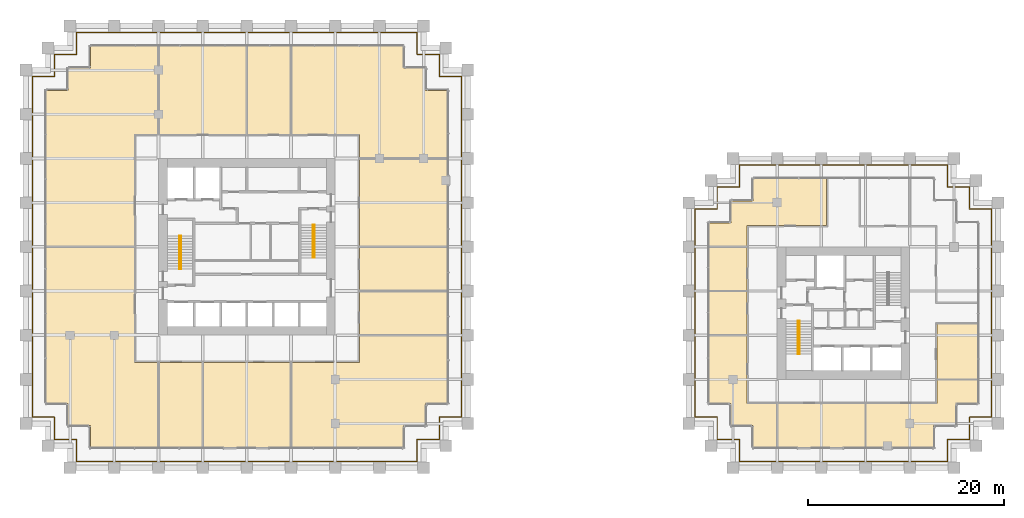
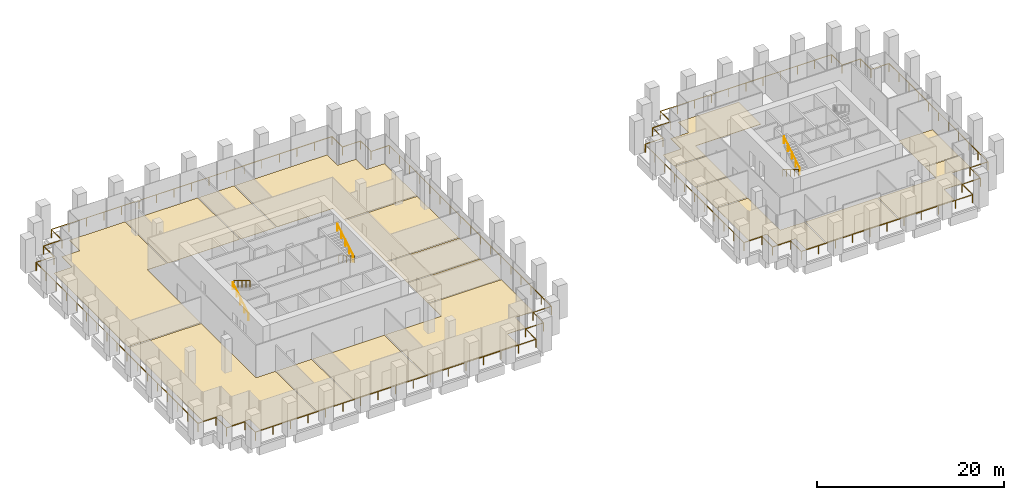
# One storey, part 35 of 36: 18 coverings, 8 railings.
"""IFC4 building model written with IfcOpenShell, lengths in metres."""

import ifcopenshell
import ifcopenshell.guid

model = None  # the IFC model being written
_history = None  # IfcOwnerHistory: only IFC2X3 demands one
_inside = {}  # id of a spatial element -> (the spatial element, [elements in it])
_under = {}  # id of a project, library or spatial element -> (it, [spatial elements below it])
_declared = {}  # id of a project -> (the project, [libraries it declares])
_typed = {}  # id of a type object -> (the type object, [elements of that type])
_made_of = {}  # id of a material, layer set ... -> (it, [elements and type objects made of it])


def new_model(schema):
    """Start an empty IFC model of exactly this schema.

    Asked for "IFC4X3", IfcOpenShell would pick the latest addendum, in which some entities
    have other attributes; the version numbers below select the first issue.
    IFC2X3 requires an IfcOwnerHistory on every rooted entity: one is made here for all.
    """
    global model, _history
    if schema == "IFC4X3":
        model = ifcopenshell.file(schema_version=(4, 3, 0, 0))
    else:
        model = ifcopenshell.file(schema=schema)
    _inside.clear()
    _under.clear()
    _declared.clear()
    _typed.clear()
    _made_of.clear()
    _history = None
    if model.schema == "IFC2X3":
        org = make("IfcOrganization", Name="unknown")
        user = make(
            "IfcPersonAndOrganization",
            ThePerson=make("IfcPerson", FamilyName="unknown"),
            TheOrganization=org,
        )
        app = make(
            "IfcApplication",
            ApplicationDeveloper=org,
            Version="unknown",
            ApplicationFullName="unknown",
            ApplicationIdentifier="unknown",
        )
        _history = make(
            "IfcOwnerHistory",
            OwningUser=user,
            OwningApplication=app,
            ChangeAction="ADDED",
            CreationDate=0,
        )
    return model


def make(cls, **values):
    """One entity of the class cls with the attributes given. An attribute that is None is left unset."""
    return model.create_entity(
        cls, **{name: value for name, value in values.items() if value is not None}
    )


def rooted(cls, **values):
    """An entity with a GlobalId (a new one), such as an element, a storey or a relation."""
    return make(cls, GlobalId=ifcopenshell.guid.new(), OwnerHistory=_history, **values)


def si_unit(unit_type, name, prefix=None):
    """IfcSIUnit, for example si_unit("LENGTHUNIT", "METRE", prefix="MILLI")."""
    return make("IfcSIUnit", UnitType=unit_type, Prefix=prefix, Name=name)


def assignment(units):
    """IfcUnitAssignment: the units of a project."""
    return None if units is None else make("IfcUnitAssignment", Units=units)


def point(xyz):
    """IfcCartesianPoint."""
    return None if xyz is None else make("IfcCartesianPoint", Coordinates=xyz)


def direction(xyz):
    """IfcDirection."""
    return None if xyz is None else make("IfcDirection", DirectionRatios=xyz)


def frame(location, z_axis=None, x_axis=None):
    """IfcAxis2Placement3D, a coordinate frame: its origin and axes. An axis left out is left unset."""
    return make(
        "IfcAxis2Placement3D",
        Location=point(location),
        Axis=direction(z_axis),
        RefDirection=direction(x_axis),
    )


def frame_2d(location, x_axis=None):
    """IfcAxis2Placement2D, a coordinate frame in the plane: its origin and x axis."""
    return make(
        "IfcAxis2Placement2D", Location=point(location), RefDirection=direction(x_axis)
    )


def origin():
    """The frame at (0, 0, 0) with its axes left unset."""
    return frame((0.0, 0.0, 0.0))


def origin_2d():
    """The frame at (0, 0) in the plane with its x axis left unset."""
    return frame_2d((0.0, 0.0))


def place(relative_to, where):
    """IfcLocalPlacement: puts the frame where relative to a parent placement (None: the world)."""
    return make(
        "IfcLocalPlacement", PlacementRelTo=relative_to, RelativePlacement=where
    )


def context(
    kind, dimensions, precision=None, world=None, true_north=None, identifier=None
):
    """IfcGeometricRepresentationContext, for example the 3D "Model" context."""
    return make(
        "IfcGeometricRepresentationContext",
        ContextIdentifier=identifier,
        ContextType=kind,
        CoordinateSpaceDimension=dimensions,
        Precision=precision,
        WorldCoordinateSystem=world,
        TrueNorth=true_north,
    )


def subcontext(parent, identifier, kind, view, scale=None):
    """IfcGeometricRepresentationSubContext, for example "Body" below "Model"."""
    return make(
        "IfcGeometricRepresentationSubContext",
        ContextIdentifier=identifier,
        ContextType=kind,
        ParentContext=parent,
        TargetScale=scale,
        TargetView=view,
    )


def project(units=None, contexts=None):
    """IfcProject with its units and contexts."""
    return rooted(
        "IfcProject",
        Name="project",
        RepresentationContexts=contexts,
        UnitsInContext=assignment(units),
    )


def spatial(cls, under=None, at=None, **own):
    """A site, building, storey or space (cls), placed at a placement, below another one or the project."""
    s = rooted(cls, ObjectPlacement=at, **own)
    if under is not None:
        _under.setdefault(under.id(), (under, []))[1].append(s)
    return s


def polyline(points):
    """IfcPolyline through the points."""
    return make("IfcPolyline", Points=[point(p) for p in points])


def profile(cls, at=None, kind="AREA", **sizes):
    """A parametric profile (cls). Its sizes go by their IFC names, for example OverallWidth=200.0."""
    return make(cls, ProfileType=kind, Position=at, **sizes)


def circle(**sizes):
    """IfcCircleProfileDef."""
    return profile("IfcCircleProfileDef", **sizes)


def outline(outer, holes=None, kind="AREA"):
    """IfcArbitraryClosedProfileDef: a profile drawn as a closed curve; with holes, ...WithVoids."""
    if holes is None:
        return make("IfcArbitraryClosedProfileDef", ProfileType=kind, OuterCurve=outer)
    return make(
        "IfcArbitraryProfileDefWithVoids",
        ProfileType=kind,
        OuterCurve=outer,
        InnerCurves=holes,
    )


def extrude(swept, where, along, depth):
    """IfcExtrudedAreaSolid: the profile swept, set in the frame where, extruded along a direction by depth."""
    return make(
        "IfcExtrudedAreaSolid",
        SweptArea=swept,
        Position=where,
        ExtrudedDirection=direction(along),
        Depth=depth,
    )


def shape(context_of_items, identifier, shape_type, items):
    """IfcShapeRepresentation: the items that make up one representation, for example the "Body"."""
    return make(
        "IfcShapeRepresentation",
        ContextOfItems=context_of_items,
        RepresentationIdentifier=identifier,
        RepresentationType=shape_type,
        Items=items,
    )


def source(mapping_origin, context_of_items, identifier, shape_type, items):
    """IfcRepresentationMap: a shape defined once, which mapped items show again and again."""
    return make(
        "IfcRepresentationMap",
        MappingOrigin=mapping_origin,
        MappedRepresentation=shape(context_of_items, identifier, shape_type, items),
    )


def transform(
    local_origin,
    x_axis=None,
    y_axis=None,
    z_axis=None,
    scale=None,
    scale2=None,
    scale3=None,
    uniform=True,
):
    """IfcCartesianTransformationOperator3D, or its non-uniform kind. x_axis, y_axis, z_axis: its Axis1, 2, 3."""
    if uniform:
        return make(
            "IfcCartesianTransformationOperator3D",
            Axis1=direction(x_axis),
            Axis2=direction(y_axis),
            LocalOrigin=point(local_origin),
            Scale=scale,
            Axis3=direction(z_axis),
        )
    return make(
        "IfcCartesianTransformationOperator3DnonUniform",
        Axis1=direction(x_axis),
        Axis2=direction(y_axis),
        LocalOrigin=point(local_origin),
        Scale=scale,
        Axis3=direction(z_axis),
        Scale2=scale2,
        Scale3=scale3,
    )


def mapped(mapping_source, mapping_target):
    """IfcMappedItem: shows the shape of a source again, moved by a transform."""
    return make(
        "IfcMappedItem", MappingSource=mapping_source, MappingTarget=mapping_target
    )


def material(Name=None, Category=None):
    """IfcMaterial."""
    return make("IfcMaterial", Name=Name, Category=Category)


def layer(
    of_material, thickness, ventilated=None, Name=None, Category=None, Priority=None
):
    """IfcMaterialLayer: one layer of a wall or slab, of a material (None: an air gap)."""
    return make(
        "IfcMaterialLayer",
        Material=of_material,
        LayerThickness=thickness,
        IsVentilated=ventilated,
        Name=Name,
        Category=Category,
        Priority=Priority,
    )


def layer_set(layers, Name=None):
    """IfcMaterialLayerSet."""
    return make("IfcMaterialLayerSet", MaterialLayers=layers, LayerSetName=Name)


def made_of(thing, what):
    """Note that an element or type object is made of a material, layer set ...; save() writes the relation."""
    if what is not None:
        _made_of.setdefault(what.id(), (what, []))[1].append(thing)
    return thing


def type_object(cls, material=None, **own):
    """A type object (cls), such as IfcWallType, which elements share."""
    return made_of(rooted(cls, **own), material)


def element(
    cls,
    number,
    at=None,
    inside=None,
    cuts=None,
    type_object=None,
    material=None,
    context=None,
    identifier="Body",
    shape_type=None,
    held_by="IfcProductDefinitionShape",
    body=None,
    shapes=None,
    **own,
):
    """One element of the class cls, such as IfcWall. Its Tag is "e" and its number.

    at: its placement. inside: the storey or other place that contains it. cuts: it is an
    opening in that element (IfcRelVoidsElement). A single representation is given by context,
    identifier, shape_type and body (its items); several are given by shapes. held_by: the class
    of the entity that holds the representations. save() writes the other relations.
    """
    e = rooted(cls, Tag="e%d" % number, ObjectPlacement=at, **own)
    if body is not None:
        shapes = [shape(context, identifier, shape_type, body)]
    if shapes is not None:
        e.Representation = make(held_by, Representations=shapes)
    if inside is not None:
        _inside.setdefault(inside.id(), (inside, []))[1].append(e)
    if cuts is not None:
        rooted(
            "IfcRelVoidsElement", RelatingBuildingElement=cuts, RelatedOpeningElement=e
        )
    if type_object is not None:
        _typed.setdefault(type_object.id(), (type_object, []))[1].append(e)
    return made_of(e, material)


def aggregate(whole, parts):
    """IfcRelAggregates: a whole, such as a stair, and the parts it consists of."""
    return rooted("IfcRelAggregates", RelatingObject=whole, RelatedObjects=parts)


def save(model, path):
    """Write the relations noted so far, then the file.

    IfcRelAggregates (storeys below a building ...), IfcRelContainedInSpatialStructure (elements
    in a storey), IfcRelDefinesByType, IfcRelAssociatesMaterial and IfcRelDeclares: one each for
    every whole, place, type object, material and project.
    """
    for whole, parts in _under.values():
        aggregate(whole, parts)
    for where, things in _inside.values():
        rooted(
            "IfcRelContainedInSpatialStructure",
            RelatedElements=things,
            RelatingStructure=where,
        )
    for kind, things in _typed.values():
        rooted("IfcRelDefinesByType", RelatedObjects=things, RelatingType=kind)
    for what, things in _made_of.values():
        rooted("IfcRelAssociatesMaterial", RelatedObjects=things, RelatingMaterial=what)
    for by, libraries in _declared.values():
        rooted("IfcRelDeclares", RelatingContext=by, RelatedDefinitions=libraries)
    model.write(path)


model = new_model("IFC4")

# Units and contexts
model_context = context("Model", 3, precision=1e-05, world=origin(), true_north=direction((0.0, 1.0)))
body_context = subcontext(model_context, "Body", "Model", "MODEL_VIEW")
ifc_project = project(units=[si_unit("LENGTHUNIT", "METRE"), si_unit("AREAUNIT", "SQUARE_METRE"), si_unit("VOLUMEUNIT", "CUBIC_METRE"), si_unit("PLANEANGLEUNIT", "RADIAN"), si_unit("MASSUNIT", "GRAM", prefix="KILO")], contexts=[model_context])

# Site, building, storey
site_placement = place(None, origin())
site = spatial("IfcSite", under=ifc_project, at=site_placement, CompositionType="ELEMENT")
building_placement = place(site_placement, origin())
building = spatial("IfcBuilding", under=site, at=building_placement, Name="Altepetl Exchange Towers", CompositionType="ELEMENT")
storey_placement = place(building_placement, frame((0.0, 0.0, 34.199951171875)))
storey = spatial("IfcBuildingStorey", under=building, at=storey_placement, Name="L07", CompositionType="ELEMENT", Elevation=34.199951171875)

# Coverings
ifc_material_1 = material(Name="Carpet tile")
ifc_layer_1 = layer(ifc_material_1, 0.02001953125)
ifc_layer_set_1 = layer_set([ifc_layer_1], Name="Carpet tile")
covering_type_1 = type_object("IfcCoveringType", Name="Carpet tile floor", PredefinedType="FLOORING", material=ifc_layer_set_1)
covering_1_placement = place(storey_placement, origin())
element("IfcCovering", 1, at=covering_1_placement, inside=storey, type_object=covering_type_1, Name="Open office floor finish A07.01", PredefinedType="FLOORING", context=body_context, shape_type="SweptSolid", body=[
    extrude(outline(polyline([(40.4375, 29.0625), (40.4375, 37.737548828125), (38.03759765625, 37.737548828125), (38.03759765625, 49.4375), (29.0625, 49.4375), (29.0625, 33.5625), (31.3125, 33.5625), (31.3125, 31.3125), (33.5625, 31.3125), (33.5625, 29.0625), (40.4375, 29.0625)])), origin(), (0.0, 0.0, 1.0), 0.02001953125),
])
covering_2_placement = place(storey_placement, origin())
element("IfcCovering", 2, at=covering_2_placement, inside=storey, type_object=covering_type_1, Name="Pantry floor finish A07.02", PredefinedType="FLOORING", context=body_context, shape_type="SweptSolid", body=[
    extrude(outline(polyline([(44.9375, 29.0625), (44.9375, 37.737548828125), (40.5625, 37.737548828125), (40.5625, 29.0625), (44.9375, 29.0625)])), origin(), (0.0, 0.0, 1.0), 0.02001953125),
])
covering_3_placement = place(storey_placement, origin())
element("IfcCovering", 3, at=covering_3_placement, inside=storey, type_object=covering_type_1, Name="Huddle room floor finish A07.03", PredefinedType="FLOORING", context=body_context, shape_type="SweptSolid", body=[
    extrude(outline(polyline([(53.9375, 29.0625), (53.9375, 37.737548828125), (45.0625, 37.737548828125), (45.0625, 29.0625), (53.9375, 29.0625)])), origin(), (0.0, 0.0, 1.0), 0.02001953125),
])
covering_4_placement = place(storey_placement, origin())
element("IfcCovering", 4, at=covering_4_placement, inside=storey, type_object=covering_type_1, Name="Pantry floor finish A07.05", PredefinedType="FLOORING", context=body_context, shape_type="SweptSolid", body=[
    extrude(outline(polyline([(69.9375, 44.9375), (60.96240234375, 44.9375), (60.96240234375, 40.5625), (69.9375, 40.5625), (69.9375, 44.9375)])), origin(), (0.0, 0.0, 1.0), 0.02001953125),
])
covering_5_placement = place(storey_placement, origin())
element("IfcCovering", 5, at=covering_5_placement, inside=storey, type_object=covering_type_1, Name="Quiet room floor finish A07.06", PredefinedType="FLOORING", context=body_context, shape_type="SweptSolid", body=[
    extrude(outline(polyline([(69.9375, 49.4375), (60.96240234375, 49.4375), (60.96240234375, 45.0625), (69.9375, 45.0625), (69.9375, 49.4375)])), origin(), (0.0, 0.0, 1.0), 0.02001953125),
])
covering_6_placement = place(storey_placement, origin())
element("IfcCovering", 6, at=covering_6_placement, inside=storey, type_object=covering_type_1, Name="Huddle room floor finish A07.07", PredefinedType="FLOORING", context=body_context, shape_type="SweptSolid", body=[
    extrude(outline(polyline([(69.9375, 58.4375), (60.96240234375, 58.4375), (60.96240234375, 49.5625), (69.9375, 49.5625), (69.9375, 58.4375)])), origin(), (0.0, 0.0, 1.0), 0.02001953125),
])
covering_7_placement = place(storey_placement, origin())
element("IfcCovering", 7, at=covering_7_placement, inside=storey, type_object=covering_type_1, Name="Pantry floor finish A07.09", PredefinedType="FLOORING", context=body_context, shape_type="SweptSolid", body=[
    extrude(outline(polyline([(49.5625, 69.9375), (49.5625, 60.96240234375), (53.9375, 60.96240234375), (53.9375, 69.9375), (49.5625, 69.9375)])), origin(), (0.0, 0.0, 1.0), 0.02001953125),
])
covering_8_placement = place(storey_placement, origin())
element("IfcCovering", 8, at=covering_8_placement, inside=storey, type_object=covering_type_1, Name="Meeting room floor finish A07.10", PredefinedType="FLOORING", context=body_context, shape_type="SweptSolid", body=[
    extrude(outline(polyline([(40.5625, 69.9375), (40.5625, 60.96240234375), (49.4375, 60.96240234375), (49.4375, 69.9375), (40.5625, 69.9375)])), origin(), (0.0, 0.0, 1.0), 0.02001953125),
])
covering_9_placement = place(storey_placement, origin())
element("IfcCovering", 9, at=covering_9_placement, inside=storey, type_object=covering_type_1, Name="Interview room floor finish B07.01", PredefinedType="FLOORING", context=body_context, shape_type="SweptSolid", body=[
    extrude(outline(polyline([(100.4375, 40.4375), (96.5625, 40.4375), (96.5625, 33.5625), (98.8125, 33.5625), (98.8125, 31.3125), (101.0625, 31.3125), (101.0625, 29.0625), (103.4375, 29.0625), (103.4375, 33.53759765625), (100.4375, 33.53759765625), (100.4375, 40.4375)])), origin(), (0.0, 0.0, 1.0), 0.02001953125),
])
covering_10_placement = place(storey_placement, origin())
element("IfcCovering", 10, at=covering_10_placement, inside=storey, type_object=covering_type_1, Name="Meeting room floor finish B07.02", PredefinedType="FLOORING", context=body_context, shape_type="SweptSolid", body=[
    extrude(outline(polyline([(103.5625, 33.53759765625), (103.5625, 29.0625), (112.4375, 29.0625), (112.4375, 33.53759765625), (103.5625, 33.53759765625)])), origin(), (0.0, 0.0, 1.0), 0.02001953125),
])
covering_11_placement = place(storey_placement, origin())
element("IfcCovering", 11, at=covering_11_placement, inside=storey, type_object=covering_type_1, Name="Quiet room floor finish B07.04", PredefinedType="FLOORING", context=body_context, shape_type="SweptSolid", body=[
    extrude(outline(polyline([(119.762451171875, 41.637451171875), (119.762451171875, 36.0625), (123.9375, 36.0625), (123.9375, 41.637451171875), (119.762451171875, 41.637451171875)])), origin(), (0.0, 0.0, 1.0), 0.02001953125),
])
covering_12_placement = place(storey_placement, origin())
element("IfcCovering", 12, at=covering_12_placement, inside=storey, type_object=covering_type_1, Name="Pantry floor finish B07.08", PredefinedType="FLOORING", context=body_context, shape_type="SweptSolid", body=[
    extrude(outline(polyline([(100.4375, 49.4375), (96.5625, 49.4375), (96.5625, 45.0625), (100.4375, 45.0625), (100.4375, 49.4375)])), origin(), (0.0, 0.0, 1.0), 0.02001953125),
])
covering_13_placement = place(storey_placement, origin())
element("IfcCovering", 13, at=covering_13_placement, inside=storey, type_object=covering_type_1, Name="Pantry floor finish B07.09", PredefinedType="FLOORING", context=body_context, shape_type="SweptSolid", body=[
    extrude(outline(polyline([(100.4375, 44.9375), (96.5625, 44.9375), (96.5625, 40.5625), (100.4375, 40.5625), (100.4375, 44.9375)])), origin(), (0.0, 0.0, 1.0), 0.02001953125),
])
ifc_material_2 = material(Name="Calcium sulphate access floor panel")
ifc_layer_2 = layer(ifc_material_2, 0.0400390625)
ifc_layer_set_2 = layer_set([ifc_layer_2], Name="Calcium sulphate access floor panel")
covering_type_2 = type_object("IfcCoveringType", Name="Raised access floor panels", PredefinedType="FLOORING", material=ifc_layer_set_2)
covering_14_placement = place(storey_placement, origin())
element("IfcCovering", 14, at=covering_14_placement, inside=storey, type_object=covering_type_2, Name="Trading office floor finish A07.04", PredefinedType="FLOORING", context=body_context, shape_type="SweptSolid", body=[
    extrude(outline(polyline([(69.9375, 40.4375), (60.96240234375, 40.4375), (60.96240234375, 37.737548828125), (54.0625, 37.737548828125), (54.0625, 29.0625), (65.4375, 29.0625), (65.4375, 31.3125), (67.6875, 31.3125), (67.6875, 33.5625), (69.9375, 33.5625), (69.9375, 40.4375)])), origin(), (0.0, 0.0, 1.0), 0.0400390625),
])
covering_15_placement = place(storey_placement, origin())
element("IfcCovering", 15, at=covering_15_placement, inside=storey, type_object=covering_type_2, Name="Broker office floor finish A07.08", PredefinedType="FLOORING", context=body_context, shape_type="SweptSolid", body=[
    extrude(outline(polyline([(54.0625, 69.9375), (54.0625, 60.96240234375), (60.96240234375, 60.96240234375), (60.96240234375, 58.5625), (69.9375, 58.5625), (69.9375, 65.4375), (67.6875, 65.4375), (67.6875, 67.6875), (65.4375, 67.6875), (65.4375, 69.9375), (54.0625, 69.9375)])), origin(), (0.0, 0.0, 1.0), 0.0400390625),
])
covering_16_placement = place(storey_placement, origin())
element("IfcCovering", 16, at=covering_16_placement, inside=storey, type_object=covering_type_2, Name="Dealing office floor finish A07.11", PredefinedType="FLOORING", context=body_context, shape_type="SweptSolid", body=[
    extrude(outline(polyline([(33.5625, 69.9375), (33.5625, 67.6875), (31.3125, 67.6875), (31.3125, 65.4375), (29.0625, 65.4375), (29.0625, 49.5625), (38.03759765625, 49.5625), (38.03759765625, 60.96240234375), (40.4375, 60.96240234375), (40.4375, 69.9375), (33.5625, 69.9375)])), origin(), (0.0, 0.0, 1.0), 0.0400390625),
])
covering_17_placement = place(storey_placement, origin())
element("IfcCovering", 17, at=covering_17_placement, inside=storey, type_object=covering_type_2, Name="Trading office floor finish B07.03", PredefinedType="FLOORING", context=body_context, shape_type="SweptSolid", body=[
    extrude(outline(polyline([(112.5625, 33.53759765625), (112.5625, 29.0625), (119.4375, 29.0625), (119.4375, 31.3125), (121.6875, 31.3125), (121.6875, 33.5625), (123.9375, 33.5625), (123.9375, 35.9375), (119.762451171875, 35.9375), (119.762451171875, 33.53759765625), (112.5625, 33.53759765625)])), origin(), (0.0, 0.0, 1.0), 0.0400390625),
])
covering_18_placement = place(storey_placement, origin())
element("IfcCovering", 18, at=covering_18_placement, inside=storey, type_object=covering_type_2, Name="Broker office floor finish B07.07", PredefinedType="FLOORING", context=body_context, shape_type="SweptSolid", body=[
    extrude(outline(polyline([(108.53759765625, 51.66259765625), (108.53759765625, 56.4375), (101.0625, 56.4375), (101.0625, 54.1875), (98.8125, 54.1875), (98.8125, 51.9375), (96.5625, 51.9375), (96.5625, 49.5625), (100.4375, 49.5625), (100.4375, 51.66259765625), (108.53759765625, 51.66259765625)])), origin(), (0.0, 0.0, 1.0), 0.0400390625),
])

# Railings
ifc_material_3 = material(Name="Steel S355", Category="steel")
railing_type_1 = type_object("IfcRailingType", Name="Guard 1100 steel posts and rail", PredefinedType="GUARDRAIL", material=ifc_material_3)
shared_shape_1 = source(origin(), body_context, "Body", "SweptSolid", [
    extrude(circle(Radius=0.02099609375, at=origin_2d()), origin(), (0.0, 0.0, 1.0), 1.052001953125),
])
railing_1_placement = place(storey_placement, frame((27.64990234375, 66.85009765625, 0.0)))
element("IfcRailing", 19, at=railing_1_placement, inside=storey, type_object=railing_type_1, Name="Loggia guard", PredefinedType="GUARDRAIL", context=body_context, shape_type="SweptSolid", body=[
    extrude(circle(Radius=0.02392578125, at=origin_2d()), frame((0.0, 0.0, 1.076171875), z_axis=(0.0, -1.0, 0.0), x_axis=(1.0, 0.0, 0.0)), (0.0, 0.0, 1.0), 34.7001953125),
    extrude(circle(Radius=0.02392578125, at=origin_2d()), frame((0.0, -34.7001953125, 1.076171875), z_axis=(1.0, 0.0, 0.0), x_axis=(0.0, 1.0, 0.0)), (0.0, 0.0, 1.0), 2.25),
    extrude(circle(Radius=0.02392578125, at=origin_2d()), frame((2.25, -34.7001953125, 1.076171875), z_axis=(0.0, -1.0, 0.0), x_axis=(1.0, 0.0, 0.0)), (0.0, 0.0, 1.0), 2.25),
    extrude(circle(Radius=0.02392578125, at=origin_2d()), frame((2.25, -36.9501953125, 1.076171875), z_axis=(1.0, 0.0, 0.0), x_axis=(0.0, 1.0, 0.0)), (0.0, 0.0, 1.0), 2.25),
    extrude(circle(Radius=0.02392578125, at=origin_2d()), frame((4.5, -36.9501953125, 1.076171875), z_axis=(0.0, -1.0, 0.0), x_axis=(1.0, 0.0, 0.0)), (0.0, 0.0, 1.0), 2.25),
    extrude(circle(Radius=0.02392578125, at=origin_2d()), frame((4.5, -39.2001953125, 1.076171875), z_axis=(1.0, 0.0, 0.0), x_axis=(0.0, 1.0, 0.0)), (0.0, 0.0, 1.0), 34.7001953125),
    extrude(circle(Radius=0.02392578125, at=origin_2d()), frame((39.2001953125, -39.2001953125, 1.076171875), z_axis=(0.0, 1.0, 0.0), x_axis=(-1.0, 0.0, 0.0)), (0.0, 0.0, 1.0), 2.25),
    extrude(circle(Radius=0.02392578125, at=origin_2d()), frame((39.2001953125, -36.9501953125, 1.076171875), z_axis=(1.0, 0.0, 0.0), x_axis=(0.0, 1.0, 0.0)), (0.0, 0.0, 1.0), 2.25),
    extrude(circle(Radius=0.02392578125, at=origin_2d()), frame((41.4501953125, -36.9501953125, 1.076171875), z_axis=(0.0, 1.0, 0.0), x_axis=(-1.0, 0.0, 0.0)), (0.0, 0.0, 1.0), 2.25),
    extrude(circle(Radius=0.02392578125, at=origin_2d()), frame((41.4501953125, -34.7001953125, 1.076171875), z_axis=(1.0, 0.0, 0.0), x_axis=(0.0, 1.0, 0.0)), (0.0, 0.0, 1.0), 2.25),
    extrude(circle(Radius=0.02392578125, at=origin_2d()), frame((43.7001953125, -34.7001953125, 1.076171875), z_axis=(0.0, 1.0, 0.0), x_axis=(-1.0, 0.0, 0.0)), (0.0, 0.0, 1.0), 34.7001953125),
    extrude(circle(Radius=0.02392578125, at=origin_2d()), frame((43.7001953125, 0.0, 1.076171875), z_axis=(-1.0, 0.0, 0.0), x_axis=(0.0, -1.0, 0.0)), (0.0, 0.0, 1.0), 2.25),
    extrude(circle(Radius=0.02392578125, at=origin_2d()), frame((41.4501953125, 0.0, 1.076171875), z_axis=(0.0, 1.0, 0.0), x_axis=(-1.0, 0.0, 0.0)), (0.0, 0.0, 1.0), 2.25),
    extrude(circle(Radius=0.02392578125, at=origin_2d()), frame((41.4501953125, 2.25, 1.076171875), z_axis=(-1.0, 0.0, 0.0), x_axis=(0.0, -1.0, 0.0)), (0.0, 0.0, 1.0), 2.25),
    extrude(circle(Radius=0.02392578125, at=origin_2d()), frame((39.2001953125, 2.25, 1.076171875), z_axis=(0.0, 1.0, 0.0), x_axis=(-1.0, 0.0, 0.0)), (0.0, 0.0, 1.0), 2.25),
    extrude(circle(Radius=0.02392578125, at=origin_2d()), frame((39.2001953125, 4.5, 1.076171875), z_axis=(-1.0, 0.0, 0.0), x_axis=(0.0, -1.0, 0.0)), (0.0, 0.0, 1.0), 34.7001953125),
    extrude(circle(Radius=0.02392578125, at=origin_2d()), frame((4.5, 4.5, 1.076171875), z_axis=(0.0, -1.0, 0.0), x_axis=(1.0, 0.0, 0.0)), (0.0, 0.0, 1.0), 2.25),
    extrude(circle(Radius=0.02392578125, at=origin_2d()), frame((4.5, 2.25, 1.076171875), z_axis=(-1.0, 0.0, 0.0), x_axis=(0.0, -1.0, 0.0)), (0.0, 0.0, 1.0), 2.25),
    extrude(circle(Radius=0.02392578125, at=origin_2d()), frame((2.25, 2.25, 1.076171875), z_axis=(0.0, -1.0, 0.0), x_axis=(1.0, 0.0, 0.0)), (0.0, 0.0, 1.0), 2.25),
    extrude(circle(Radius=0.02392578125, at=origin_2d()), frame((2.25, 0.0, 1.076171875), z_axis=(-1.0, 0.0, 0.0), x_axis=(0.0, -1.0, 0.0)), (0.0, 0.0, 1.0), 2.14990234375),
    mapped(shared_shape_1, transform((0.0, 0.0, 0.0))),
    mapped(shared_shape_1, transform((0.0, -2.168701171875, 0.0))),
    mapped(shared_shape_1, transform((0.0, -4.33740234375, 0.0))),
    mapped(shared_shape_1, transform((0.0, -6.50634765625, 0.0))),
    mapped(shared_shape_1, transform((0.0, -8.675048828125, 0.0))),
    mapped(shared_shape_1, transform((0.0, -10.84375, 0.0))),
    mapped(shared_shape_1, transform((0.0, -13.0126953125, 0.0))),
    mapped(shared_shape_1, transform((0.0, -15.181396484375, 0.0))),
    mapped(shared_shape_1, transform((0.0, -17.35009765625, 0.0))),
    mapped(shared_shape_1, transform((0.0, -19.518798828125, 0.0))),
    mapped(shared_shape_1, transform((0.0, -21.6875, 0.0))),
    mapped(shared_shape_1, transform((0.0, -23.8564453125, 0.0))),
    mapped(shared_shape_1, transform((0.0, -26.025146484375, 0.0))),
    mapped(shared_shape_1, transform((0.0, -28.19384765625, 0.0))),
    mapped(shared_shape_1, transform((0.0, -30.36279296875, 0.0))),
    mapped(shared_shape_1, transform((0.0, -32.531494140625, 0.0))),
    mapped(shared_shape_1, transform((0.0, -34.7001953125, 0.0))),
    mapped(shared_shape_1, transform((2.25, -34.7001953125, 0.0))),
    mapped(shared_shape_1, transform((2.25, -36.9501953125, 0.0))),
    mapped(shared_shape_1, transform((4.5, -36.9501953125, 0.0))),
    mapped(shared_shape_1, transform((4.5, -39.2001953125, 0.0))),
    mapped(shared_shape_1, transform((6.668701171875, -39.2001953125, 0.0))),
    mapped(shared_shape_1, transform((8.83740234375, -39.2001953125, 0.0))),
    mapped(shared_shape_1, transform((11.00634765625, -39.2001953125, 0.0))),
    mapped(shared_shape_1, transform((13.175048828125, -39.2001953125, 0.0))),
    mapped(shared_shape_1, transform((15.34375, -39.2001953125, 0.0))),
    mapped(shared_shape_1, transform((17.5126953125, -39.2001953125, 0.0))),
    mapped(shared_shape_1, transform((19.681396484375, -39.2001953125, 0.0))),
    mapped(shared_shape_1, transform((21.85009765625, -39.2001953125, 0.0))),
    mapped(shared_shape_1, transform((24.018798828125, -39.2001953125, 0.0))),
    mapped(shared_shape_1, transform((26.1875, -39.2001953125, 0.0))),
    mapped(shared_shape_1, transform((28.3564453125, -39.2001953125, 0.0))),
    mapped(shared_shape_1, transform((30.525146484375, -39.2001953125, 0.0))),
    mapped(shared_shape_1, transform((32.69384765625, -39.2001953125, 0.0))),
    mapped(shared_shape_1, transform((34.86279296875, -39.2001953125, 0.0))),
    mapped(shared_shape_1, transform((37.031494140625, -39.2001953125, 0.0))),
    mapped(shared_shape_1, transform((39.2001953125, -39.2001953125, 0.0))),
    mapped(shared_shape_1, transform((39.2001953125, -36.9501953125, 0.0))),
    mapped(shared_shape_1, transform((41.4501953125, -36.9501953125, 0.0))),
    mapped(shared_shape_1, transform((41.4501953125, -34.7001953125, 0.0))),
    mapped(shared_shape_1, transform((43.7001953125, -34.7001953125, 0.0))),
    mapped(shared_shape_1, transform((43.7001953125, -32.531494140625, 0.0))),
    mapped(shared_shape_1, transform((43.7001953125, -30.36279296875, 0.0))),
    mapped(shared_shape_1, transform((43.7001953125, -28.19384765625, 0.0))),
    mapped(shared_shape_1, transform((43.7001953125, -26.025146484375, 0.0))),
    mapped(shared_shape_1, transform((43.7001953125, -23.8564453125, 0.0))),
    mapped(shared_shape_1, transform((43.7001953125, -21.6875, 0.0))),
    mapped(shared_shape_1, transform((43.7001953125, -19.518798828125, 0.0))),
    mapped(shared_shape_1, transform((43.7001953125, -17.35009765625, 0.0))),
    mapped(shared_shape_1, transform((43.7001953125, -15.181396484375, 0.0))),
    mapped(shared_shape_1, transform((43.7001953125, -13.0126953125, 0.0))),
    mapped(shared_shape_1, transform((43.7001953125, -10.84375, 0.0))),
    mapped(shared_shape_1, transform((43.7001953125, -8.675048828125, 0.0))),
    mapped(shared_shape_1, transform((43.7001953125, -6.50634765625, 0.0))),
    mapped(shared_shape_1, transform((43.7001953125, -4.33740234375, 0.0))),
    mapped(shared_shape_1, transform((43.7001953125, -2.168701171875, 0.0))),
    mapped(shared_shape_1, transform((43.7001953125, 0.0, 0.0))),
    mapped(shared_shape_1, transform((41.4501953125, 0.0, 0.0))),
    mapped(shared_shape_1, transform((41.4501953125, 2.25, 0.0))),
    mapped(shared_shape_1, transform((39.2001953125, 2.25, 0.0))),
    mapped(shared_shape_1, transform((39.2001953125, 4.5, 0.0))),
    mapped(shared_shape_1, transform((37.031494140625, 4.5, 0.0))),
    mapped(shared_shape_1, transform((34.86279296875, 4.5, 0.0))),
    mapped(shared_shape_1, transform((32.69384765625, 4.5, 0.0))),
    mapped(shared_shape_1, transform((30.525146484375, 4.5, 0.0))),
    mapped(shared_shape_1, transform((28.3564453125, 4.5, 0.0))),
    mapped(shared_shape_1, transform((26.1875, 4.5, 0.0))),
    mapped(shared_shape_1, transform((24.018798828125, 4.5, 0.0))),
    mapped(shared_shape_1, transform((21.85009765625, 4.5, 0.0))),
    mapped(shared_shape_1, transform((19.681396484375, 4.5, 0.0))),
    mapped(shared_shape_1, transform((17.5126953125, 4.5, 0.0))),
    mapped(shared_shape_1, transform((15.34375, 4.5, 0.0))),
    mapped(shared_shape_1, transform((13.175048828125, 4.5, 0.0))),
    mapped(shared_shape_1, transform((11.00634765625, 4.5, 0.0))),
    mapped(shared_shape_1, transform((8.83740234375, 4.5, 0.0))),
    mapped(shared_shape_1, transform((6.668701171875, 4.5, 0.0))),
    mapped(shared_shape_1, transform((4.5, 4.5, 0.0))),
    mapped(shared_shape_1, transform((4.5, 2.25, 0.0))),
    mapped(shared_shape_1, transform((2.25, 2.25, 0.0))),
    mapped(shared_shape_1, transform((2.25, 0.0, 0.0))),
    mapped(shared_shape_1, transform((0.10009765625, 0.0, 0.0))),
])
railing_2_placement = place(storey_placement, frame((95.14990234375, 53.35009765625, 0.0)))
element("IfcRailing", 20, at=railing_2_placement, inside=storey, type_object=railing_type_1, Name="Loggia guard", PredefinedType="GUARDRAIL", context=body_context, shape_type="SweptSolid", body=[
    extrude(circle(Radius=0.02392578125, at=origin_2d()), frame((0.0, 0.0, 1.076171875), z_axis=(0.0, -1.0, 0.0), x_axis=(1.0, 0.0, 0.0)), (0.0, 0.0, 1.0), 21.2001953125),
    extrude(circle(Radius=0.02392578125, at=origin_2d()), frame((0.0, -21.2001953125, 1.076171875), z_axis=(1.0, 0.0, 0.0), x_axis=(0.0, 1.0, 0.0)), (0.0, 0.0, 1.0), 2.25),
    extrude(circle(Radius=0.02392578125, at=origin_2d()), frame((2.25, -21.2001953125, 1.076171875), z_axis=(0.0, -1.0, 0.0), x_axis=(1.0, 0.0, 0.0)), (0.0, 0.0, 1.0), 2.25),
    extrude(circle(Radius=0.02392578125, at=origin_2d()), frame((2.25, -23.4501953125, 1.076171875), z_axis=(1.0, 0.0, 0.0), x_axis=(0.0, 1.0, 0.0)), (0.0, 0.0, 1.0), 2.25),
    extrude(circle(Radius=0.02392578125, at=origin_2d()), frame((4.5, -23.4501953125, 1.076171875), z_axis=(0.0, -1.0, 0.0), x_axis=(1.0, 0.0, 0.0)), (0.0, 0.0, 1.0), 2.25),
    extrude(circle(Radius=0.02392578125, at=origin_2d()), frame((4.5, -25.7001953125, 1.076171875), z_axis=(1.0, 0.0, 0.0), x_axis=(0.0, 1.0, 0.0)), (0.0, 0.0, 1.0), 21.2001953125),
    extrude(circle(Radius=0.02392578125, at=origin_2d()), frame((25.7001953125, -25.7001953125, 1.076171875), z_axis=(0.0, 1.0, 0.0), x_axis=(-1.0, 0.0, 0.0)), (0.0, 0.0, 1.0), 2.25),
    extrude(circle(Radius=0.02392578125, at=origin_2d()), frame((25.7001953125, -23.4501953125, 1.076171875), z_axis=(1.0, 0.0, 0.0), x_axis=(0.0, 1.0, 0.0)), (0.0, 0.0, 1.0), 2.25),
    extrude(circle(Radius=0.02392578125, at=origin_2d()), frame((27.9501953125, -23.4501953125, 1.076171875), z_axis=(0.0, 1.0, 0.0), x_axis=(-1.0, 0.0, 0.0)), (0.0, 0.0, 1.0), 2.25),
    extrude(circle(Radius=0.02392578125, at=origin_2d()), frame((27.9501953125, -21.2001953125, 1.076171875), z_axis=(1.0, 0.0, 0.0), x_axis=(0.0, 1.0, 0.0)), (0.0, 0.0, 1.0), 2.25),
    extrude(circle(Radius=0.02392578125, at=origin_2d()), frame((30.2001953125, -21.2001953125, 1.076171875), z_axis=(0.0, 1.0, 0.0), x_axis=(-1.0, 0.0, 0.0)), (0.0, 0.0, 1.0), 21.2001953125),
    extrude(circle(Radius=0.02392578125, at=origin_2d()), frame((30.2001953125, 0.0, 1.076171875), z_axis=(-1.0, 0.0, 0.0), x_axis=(0.0, -1.0, 0.0)), (0.0, 0.0, 1.0), 2.25),
    extrude(circle(Radius=0.02392578125, at=origin_2d()), frame((27.9501953125, 0.0, 1.076171875), z_axis=(0.0, 1.0, 0.0), x_axis=(-1.0, 0.0, 0.0)), (0.0, 0.0, 1.0), 2.25),
    extrude(circle(Radius=0.02392578125, at=origin_2d()), frame((27.9501953125, 2.25, 1.076171875), z_axis=(-1.0, 0.0, 0.0), x_axis=(0.0, -1.0, 0.0)), (0.0, 0.0, 1.0), 2.25),
    extrude(circle(Radius=0.02392578125, at=origin_2d()), frame((25.7001953125, 2.25, 1.076171875), z_axis=(0.0, 1.0, 0.0), x_axis=(-1.0, 0.0, 0.0)), (0.0, 0.0, 1.0), 2.25),
    extrude(circle(Radius=0.02392578125, at=origin_2d()), frame((25.7001953125, 4.5, 1.076171875), z_axis=(-1.0, 0.0, 0.0), x_axis=(0.0, -1.0, 0.0)), (0.0, 0.0, 1.0), 21.2001953125),
    extrude(circle(Radius=0.02392578125, at=origin_2d()), frame((4.5, 4.5, 1.076171875), z_axis=(0.0, -1.0, 0.0), x_axis=(1.0, 0.0, 0.0)), (0.0, 0.0, 1.0), 2.25),
    extrude(circle(Radius=0.02392578125, at=origin_2d()), frame((4.5, 2.25, 1.076171875), z_axis=(-1.0, 0.0, 0.0), x_axis=(0.0, -1.0, 0.0)), (0.0, 0.0, 1.0), 2.25),
    extrude(circle(Radius=0.02392578125, at=origin_2d()), frame((2.25, 2.25, 1.076171875), z_axis=(0.0, -1.0, 0.0), x_axis=(1.0, 0.0, 0.0)), (0.0, 0.0, 1.0), 2.25),
    extrude(circle(Radius=0.02392578125, at=origin_2d()), frame((2.25, 0.0, 1.076171875), z_axis=(-1.0, 0.0, 0.0), x_axis=(0.0, -1.0, 0.0)), (0.0, 0.0, 1.0), 2.14990234375),
    mapped(shared_shape_1, transform((0.0, 0.0, 0.0))),
    mapped(shared_shape_1, transform((0.0, -2.1201171875, 0.0))),
    mapped(shared_shape_1, transform((0.0, -4.239990234375, 0.0))),
    mapped(shared_shape_1, transform((0.0, -6.360107421875, 0.0))),
    mapped(shared_shape_1, transform((0.0, -8.47998046875, 0.0))),
    mapped(shared_shape_1, transform((0.0, -10.60009765625, 0.0))),
    mapped(shared_shape_1, transform((0.0, -12.72021484375, 0.0))),
    mapped(shared_shape_1, transform((0.0, -14.840087890625, 0.0))),
    mapped(shared_shape_1, transform((0.0, -16.960205078125, 0.0))),
    mapped(shared_shape_1, transform((0.0, -19.080078125, 0.0))),
    mapped(shared_shape_1, transform((0.0, -21.2001953125, 0.0))),
    mapped(shared_shape_1, transform((2.25, -21.2001953125, 0.0))),
    mapped(shared_shape_1, transform((2.25, -23.4501953125, 0.0))),
    mapped(shared_shape_1, transform((4.5, -23.4501953125, 0.0))),
    mapped(shared_shape_1, transform((4.5, -25.7001953125, 0.0))),
    mapped(shared_shape_1, transform((6.6201171875, -25.7001953125, 0.0))),
    mapped(shared_shape_1, transform((8.739990234375, -25.7001953125, 0.0))),
    mapped(shared_shape_1, transform((10.860107421875, -25.7001953125, 0.0))),
    mapped(shared_shape_1, transform((12.97998046875, -25.7001953125, 0.0))),
    mapped(shared_shape_1, transform((15.10009765625, -25.7001953125, 0.0))),
    mapped(shared_shape_1, transform((17.22021484375, -25.7001953125, 0.0))),
    mapped(shared_shape_1, transform((19.340087890625, -25.7001953125, 0.0))),
    mapped(shared_shape_1, transform((21.460205078125, -25.7001953125, 0.0))),
    mapped(shared_shape_1, transform((23.580078125, -25.7001953125, 0.0))),
    mapped(shared_shape_1, transform((25.7001953125, -25.7001953125, 0.0))),
    mapped(shared_shape_1, transform((25.7001953125, -23.4501953125, 0.0))),
    mapped(shared_shape_1, transform((27.9501953125, -23.4501953125, 0.0))),
    mapped(shared_shape_1, transform((27.9501953125, -21.2001953125, 0.0))),
    mapped(shared_shape_1, transform((30.2001953125, -21.2001953125, 0.0))),
    mapped(shared_shape_1, transform((30.2001953125, -19.080078125, 0.0))),
    mapped(shared_shape_1, transform((30.2001953125, -16.960205078125, 0.0))),
    mapped(shared_shape_1, transform((30.2001953125, -14.840087890625, 0.0))),
    mapped(shared_shape_1, transform((30.2001953125, -12.72021484375, 0.0))),
    mapped(shared_shape_1, transform((30.2001953125, -10.60009765625, 0.0))),
    mapped(shared_shape_1, transform((30.2001953125, -8.47998046875, 0.0))),
    mapped(shared_shape_1, transform((30.2001953125, -6.360107421875, 0.0))),
    mapped(shared_shape_1, transform((30.2001953125, -4.239990234375, 0.0))),
    mapped(shared_shape_1, transform((30.2001953125, -2.1201171875, 0.0))),
    mapped(shared_shape_1, transform((30.2001953125, 0.0, 0.0))),
    mapped(shared_shape_1, transform((27.9501953125, 0.0, 0.0))),
    mapped(shared_shape_1, transform((27.9501953125, 2.25, 0.0))),
    mapped(shared_shape_1, transform((25.7001953125, 2.25, 0.0))),
    mapped(shared_shape_1, transform((25.7001953125, 4.5, 0.0))),
    mapped(shared_shape_1, transform((23.580078125, 4.5, 0.0))),
    mapped(shared_shape_1, transform((21.460205078125, 4.5, 0.0))),
    mapped(shared_shape_1, transform((19.340087890625, 4.5, 0.0))),
    mapped(shared_shape_1, transform((17.22021484375, 4.5, 0.0))),
    mapped(shared_shape_1, transform((15.10009765625, 4.5, 0.0))),
    mapped(shared_shape_1, transform((12.97998046875, 4.5, 0.0))),
    mapped(shared_shape_1, transform((10.860107421875, 4.5, 0.0))),
    mapped(shared_shape_1, transform((8.739990234375, 4.5, 0.0))),
    mapped(shared_shape_1, transform((6.6201171875, 4.5, 0.0))),
    mapped(shared_shape_1, transform((4.5, 4.5, 0.0))),
    mapped(shared_shape_1, transform((4.5, 2.25, 0.0))),
    mapped(shared_shape_1, transform((2.25, 2.25, 0.0))),
    mapped(shared_shape_1, transform((2.25, 0.0, 0.0))),
    mapped(shared_shape_1, transform((0.10009765625, 0.0, 0.0))),
])
ifc_material_4 = material(Name="Steel", Category="steel")
railing_type_2 = type_object("IfcRailingType", Name="Stair handrail 50 steel tube", PredefinedType="HANDRAIL", material=ifc_material_4)
shared_shape_2 = source(origin(), body_context, "Body", "SweptSolid", [
    extrude(circle(Radius=0.02099609375, at=origin_2d()), origin(), (0.0, 0.0, 1.0), 0.851806640625),
])
railing_3_placement = place(storey_placement, frame((42.6201171875, 47.25, 0.169189453125)))
element("IfcRailing", 21, at=railing_3_placement, inside=storey, type_object=railing_type_2, Name="Stair handrail", PredefinedType="HANDRAIL", context=body_context, shape_type="SweptSolid", body=[
    extrude(circle(Radius=0.02392578125, at=origin_2d()), frame((0.0, 0.0, 0.8759765625), z_axis=(0.0, 0.855836976705, 0.517245656632), x_axis=(-1.0, 0.0, 0.0)), (0.0, 0.0, 1.0), 3.926025390625),
    mapped(shared_shape_2, transform((0.0, 0.0, 0.0))),
    mapped(shared_shape_2, transform((0.0, 0.840087890625, 0.5078125))),
    mapped(shared_shape_2, transform((0.0, 1.68017578125, 1.015380859375))),
    mapped(shared_shape_2, transform((0.0, 2.52001953125, 1.52294921875))),
    mapped(shared_shape_2, transform((0.0, 3.360107421875, 2.03076171875))),
])
railing_4_placement = place(storey_placement, frame((42.780029296875, 50.610107421875, 2.369140625)))
element("IfcRailing", 22, at=railing_4_placement, inside=storey, type_object=railing_type_2, Name="Stair handrail", PredefinedType="HANDRAIL", context=body_context, shape_type="SweptSolid", body=[
    extrude(circle(Radius=0.02392578125, at=origin_2d()), frame((0.0, 0.0, 0.8759765625), z_axis=(0.0, -0.855809448938, 0.517291201461), x_axis=(1.0, 0.0, 0.0)), (0.0, 0.0, 1.0), 3.92626953125),
    mapped(shared_shape_2, transform((0.0, 0.0, 0.0))),
    mapped(shared_shape_2, transform((0.0, -0.840087890625, 0.5078125))),
    mapped(shared_shape_2, transform((0.0, -1.68017578125, 1.015625))),
    mapped(shared_shape_2, transform((0.0, -2.52001953125, 1.523193359375))),
    mapped(shared_shape_2, transform((0.0, -3.360107421875, 2.031005859375))),
])
railing_5_placement = place(storey_placement, frame((56.3798828125, 51.75, 0.169189453125)))
element("IfcRailing", 23, at=railing_5_placement, inside=storey, type_object=railing_type_2, Name="Stair handrail", PredefinedType="HANDRAIL", context=body_context, shape_type="SweptSolid", body=[
    extrude(circle(Radius=0.02392578125, at=origin_2d()), frame((0.0, 0.0, 0.8759765625), z_axis=(0.0, -0.855836976705, 0.517245656632), x_axis=(1.0, 0.0, 0.0)), (0.0, 0.0, 1.0), 3.926025390625),
    mapped(shared_shape_2, transform((0.0, 0.0, 0.0))),
    mapped(shared_shape_2, transform((0.0, -0.840087890625, 0.5078125))),
    mapped(shared_shape_2, transform((0.0, -1.68017578125, 1.015380859375))),
    mapped(shared_shape_2, transform((0.0, -2.52001953125, 1.52294921875))),
    mapped(shared_shape_2, transform((0.0, -3.360107421875, 2.03076171875))),
])
railing_6_placement = place(storey_placement, frame((56.219970703125, 48.389892578125, 2.369140625)))
element("IfcRailing", 24, at=railing_6_placement, inside=storey, type_object=railing_type_2, Name="Stair handrail", PredefinedType="HANDRAIL", context=body_context, shape_type="SweptSolid", body=[
    extrude(circle(Radius=0.02392578125, at=origin_2d()), frame((0.0, 0.0, 0.8759765625), z_axis=(0.0, 0.855809448938, 0.517291201461), x_axis=(-1.0, 0.0, 0.0)), (0.0, 0.0, 1.0), 3.92626953125),
    mapped(shared_shape_2, transform((0.0, 0.0, 0.0))),
    mapped(shared_shape_2, transform((0.0, 0.840087890625, 0.5078125))),
    mapped(shared_shape_2, transform((0.0, 1.68017578125, 1.015625))),
    mapped(shared_shape_2, transform((0.0, 2.52001953125, 1.523193359375))),
    mapped(shared_shape_2, transform((0.0, 3.360107421875, 2.031005859375))),
])
railing_7_placement = place(storey_placement, frame((105.6201171875, 41.949951171875, 0.169189453125)))
element("IfcRailing", 25, at=railing_7_placement, inside=storey, type_object=railing_type_2, Name="Stair handrail", PredefinedType="HANDRAIL", context=body_context, shape_type="SweptSolid", body=[
    extrude(circle(Radius=0.02392578125, at=origin_2d()), frame((0.0, 0.0, 0.8759765625), z_axis=(0.0, -0.855820338506, 0.51727318527), x_axis=(1.0, 0.0, 0.0)), (0.0, 0.0, 1.0), 3.92578125),
    mapped(shared_shape_2, transform((0.0, 0.0, 0.0))),
    mapped(shared_shape_2, transform((0.0, -0.83984375, 0.5078125))),
    mapped(shared_shape_2, transform((0.0, -1.679931640625, 1.015380859375))),
    mapped(shared_shape_2, transform((0.0, -2.52001953125, 1.52294921875))),
    mapped(shared_shape_2, transform((0.0, -3.35986328125, 2.03076171875))),
])
railing_8_placement = place(storey_placement, frame((105.780029296875, 38.590087890625, 2.369140625)))
element("IfcRailing", 26, at=railing_8_placement, inside=storey, type_object=railing_type_2, Name="Stair handrail", PredefinedType="HANDRAIL", context=body_context, shape_type="SweptSolid", body=[
    extrude(circle(Radius=0.02392578125, at=origin_2d()), frame((0.0, 0.0, 0.8759765625), z_axis=(0.0, 0.855792808344, 0.517318730752), x_axis=(-1.0, 0.0, 0.0)), (0.0, 0.0, 1.0), 3.926025390625),
    mapped(shared_shape_2, transform((0.0, 0.0, 0.0))),
    mapped(shared_shape_2, transform((0.0, 0.83984375, 0.5078125))),
    mapped(shared_shape_2, transform((0.0, 1.679931640625, 1.015625))),
    mapped(shared_shape_2, transform((0.0, 2.52001953125, 1.523193359375))),
    mapped(shared_shape_2, transform((0.0, 3.35986328125, 2.031005859375))),
])

save(model, "model.ifc")
